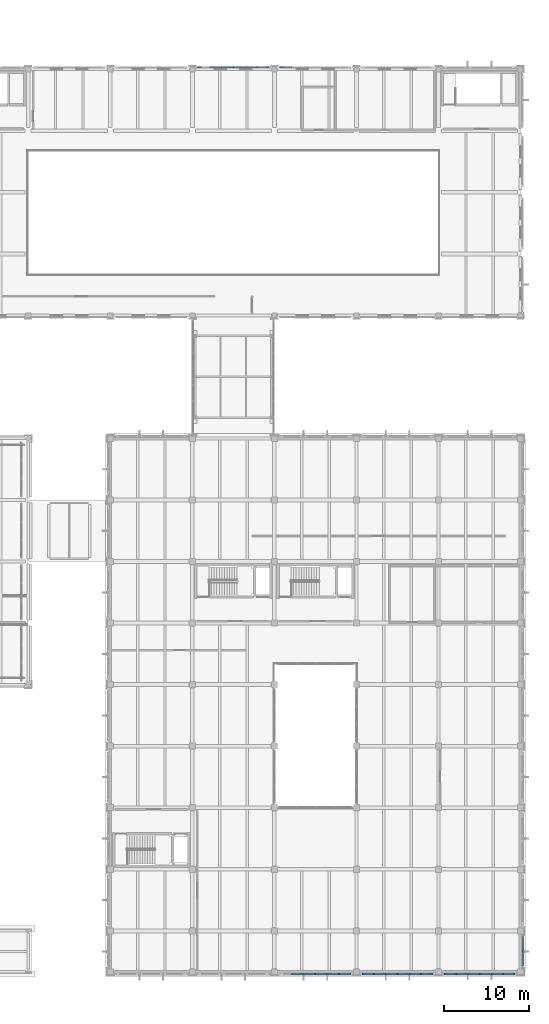
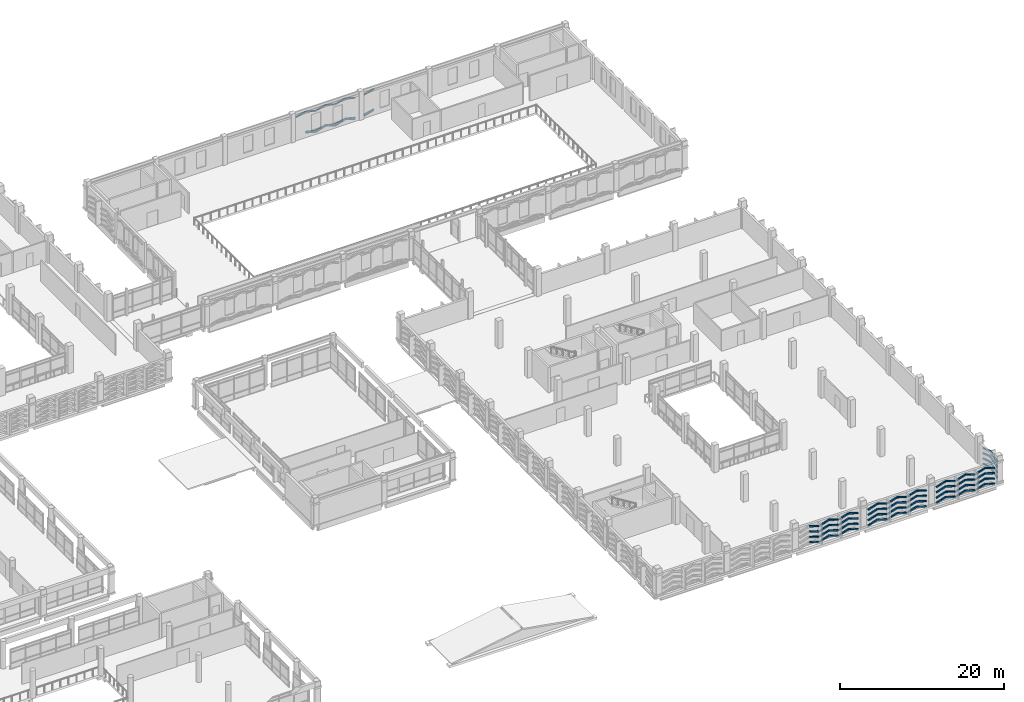
# One storey, part 144 of 180: 95 plates.
"""IFC4 building model written with IfcOpenShell, lengths in metres."""

from ifc_helpers import new_model, si_unit, direction, frame, origin, origin_2d, place, context, subcontext, project, spatial, hollow_rectangle, extrude, material, material_profile, profile_set, type_object, element, save


model = new_model("IFC4")

# Units and contexts
model_context = context("Model", 3, precision=1e-05, world=origin(), true_north=direction((0.0, 1.0)))
body_context = subcontext(model_context, "Body", "Model", "MODEL_VIEW")
ifc_project = project(units=[si_unit("LENGTHUNIT", "METRE"), si_unit("AREAUNIT", "SQUARE_METRE"), si_unit("VOLUMEUNIT", "CUBIC_METRE"), si_unit("PLANEANGLEUNIT", "RADIAN"), si_unit("MASSUNIT", "GRAM", prefix="KILO")], contexts=[model_context])

# Site, building, storey
site_placement = place(None, origin())
site = spatial("IfcSite", under=ifc_project, at=site_placement, CompositionType="ELEMENT")
building_placement = place(site_placement, origin())
building = spatial("IfcBuilding", under=site, at=building_placement, Name="Asteropetra Specialist Clinic", CompositionType="ELEMENT")
storey_placement = place(building_placement, frame((0.0, 0.0, 4.419921875)))
storey = spatial("IfcBuildingStorey", under=building, at=storey_placement, Name="L01", CompositionType="ELEMENT", Elevation=4.419921875)

# Plates
ifc_material_1 = material(Name="Chevron emerald aluminium 6063-T6", Category="aluminium")
ifc_material_profile_1 = material_profile(ifc_material_1, hollow_rectangle(XDim=0.179931640625, YDim=0.179931640625, WallThickness=0.010009765625, InnerFilletRadius=0.008056640625, OuterFilletRadius=0.01611328125, at=origin_2d()), Name="SHS 180x180x10.0")
ifc_profile_set_1 = profile_set([ifc_material_profile_1], Name="Chevron emerald aluminium 6063-T6")
plate_type_1 = type_object("IfcPlateType", Name="CHV-RIB-180", PredefinedType="SHEET", material=ifc_profile_set_1)
for number, where, z_axis, x_axis, name in (
    (1, (124.159912109375, 105.842041015625, 0.0400390625), (-0.952424147199, 0.0, 0.304775727104), (0.0, -1.0, 0.0), "Chevron Facade Screen Fin CVR-0115"),
    (2, (122.78662109375, 105.842041015625, 0.4794921875), (-0.952424147199, 0.0, -0.304775727104), (0.0, -1.0, 0.0), "Chevron Facade Screen Fin CVR-0116"),
):
    element("IfcPlate", number, at=place(storey_placement, frame(where, z_axis=z_axis, x_axis=x_axis)), inside=storey, type_object=plate_type_1, Name=name, PredefinedType="SHEET", context=body_context, shape_type="SweptSolid", body=[
        extrude(hollow_rectangle(XDim=0.179931640625, YDim=0.179931640625, WallThickness=0.010009765625, InnerFilletRadius=0.008056640625, OuterFilletRadius=0.01611328125, at=origin_2d()), origin(), (0.0, 0.0, 1.0), 1.44189453125),
    ])
for number, where, z_axis, x_axis, name in (
    (3, (124.159912109375, 105.842041015625, 0.239990234375), (-0.972308795496, 0.0, 0.233699820713), (0.0, -1.0, 0.0), "Chevron Facade Screen Fin CVR-0117"),
    (4, (122.78662109375, 105.842041015625, 0.570068359375), (-0.972308795496, 0.0, -0.233699820713), (0.0, -1.0, 0.0), "Chevron Facade Screen Fin CVR-0118"),
):
    element("IfcPlate", number, at=place(storey_placement, frame(where, z_axis=z_axis, x_axis=x_axis)), inside=storey, type_object=plate_type_1, Name=name, PredefinedType="SHEET", context=body_context, shape_type="SweptSolid", body=[
        extrude(hollow_rectangle(XDim=0.179931640625, YDim=0.179931640625, WallThickness=0.010009765625, InnerFilletRadius=0.008056640625, OuterFilletRadius=0.01611328125, at=origin_2d()), origin(), (0.0, 0.0, 1.0), 1.412353515625),
    ])
for number, where, z_axis, x_axis, name in (
    (5, (124.159912109375, 105.842041015625, 3.190185546875), (-0.96198081159, 0.0, 0.273117041086), (0.0, -1.0, 0.0), "Chevron Facade Screen Fin CVR-0119"),
    (6, (122.78662109375, 105.842041015625, 3.580078125), (-0.96198081159, 0.0, -0.273117041086), (0.0, -1.0, 0.0), "Chevron Facade Screen Fin CVR-0120"),
):
    element("IfcPlate", number, at=place(storey_placement, frame(where, z_axis=z_axis, x_axis=x_axis)), inside=storey, type_object=plate_type_1, Name=name, PredefinedType="SHEET", context=body_context, shape_type="SweptSolid", body=[
        extrude(hollow_rectangle(XDim=0.179931640625, YDim=0.179931640625, WallThickness=0.010009765625, InnerFilletRadius=0.008056640625, OuterFilletRadius=0.01611328125, at=origin_2d()), origin(), (0.0, 0.0, 1.0), 1.427490234375),
    ])
for number, where, z_axis, x_axis, name in (
    (7, (121.373291015625, 105.842041015625, 0.0400390625), (-0.952424147199, 0.0, 0.304775727104), (0.0, -1.0, 0.0), "Chevron Facade Screen Fin CVR-0121"),
    (8, (120.0, 105.842041015625, 0.4794921875), (-0.952424147199, 0.0, -0.304775727104), (0.0, -1.0, 0.0), "Chevron Facade Screen Fin CVR-0122"),
):
    element("IfcPlate", number, at=place(storey_placement, frame(where, z_axis=z_axis, x_axis=x_axis)), inside=storey, type_object=plate_type_1, Name=name, PredefinedType="SHEET", context=body_context, shape_type="SweptSolid", body=[
        extrude(hollow_rectangle(XDim=0.179931640625, YDim=0.179931640625, WallThickness=0.010009765625, InnerFilletRadius=0.008056640625, OuterFilletRadius=0.01611328125, at=origin_2d()), origin(), (0.0, 0.0, 1.0), 1.44189453125),
    ])
for number, where, z_axis, x_axis, name in (
    (9, (121.373291015625, 105.842041015625, 0.239990234375), (-0.972308795496, 0.0, 0.233699820713), (0.0, -1.0, 0.0), "Chevron Facade Screen Fin CVR-0123"),
    (10, (120.0, 105.842041015625, 0.570068359375), (-0.972308795496, 0.0, -0.233699820713), (0.0, -1.0, 0.0), "Chevron Facade Screen Fin CVR-0124"),
):
    element("IfcPlate", number, at=place(storey_placement, frame(where, z_axis=z_axis, x_axis=x_axis)), inside=storey, type_object=plate_type_1, Name=name, PredefinedType="SHEET", context=body_context, shape_type="SweptSolid", body=[
        extrude(hollow_rectangle(XDim=0.179931640625, YDim=0.179931640625, WallThickness=0.010009765625, InnerFilletRadius=0.008056640625, OuterFilletRadius=0.01611328125, at=origin_2d()), origin(), (0.0, 0.0, 1.0), 1.412353515625),
    ])
for number, where, z_axis, x_axis, name in (
    (11, (121.373291015625, 105.842041015625, 3.190185546875), (-0.96198081159, 0.0, 0.273117041086), (0.0, -1.0, 0.0), "Chevron Facade Screen Fin CVR-0125"),
    (12, (120.0, 105.842041015625, 3.580078125), (-0.96198081159, 0.0, -0.273117041086), (0.0, -1.0, 0.0), "Chevron Facade Screen Fin CVR-0126"),
):
    element("IfcPlate", number, at=place(storey_placement, frame(where, z_axis=z_axis, x_axis=x_axis)), inside=storey, type_object=plate_type_1, Name=name, PredefinedType="SHEET", context=body_context, shape_type="SweptSolid", body=[
        extrude(hollow_rectangle(XDim=0.179931640625, YDim=0.179931640625, WallThickness=0.010009765625, InnerFilletRadius=0.008056640625, OuterFilletRadius=0.01611328125, at=origin_2d()), origin(), (0.0, 0.0, 1.0), 1.427490234375),
    ])
plate_1_placement = place(storey_placement, frame((118.586669921875, 105.842041015625, 0.0400390625), z_axis=(-0.952424147199, 0.0, 0.304775727104), x_axis=(0.0, -1.0, 0.0)))
element("IfcPlate", 13, at=plate_1_placement, inside=storey, type_object=plate_type_1, Name="Chevron Facade Screen Fin CVR-0127", PredefinedType="SHEET", context=body_context, shape_type="SweptSolid", body=[
    extrude(hollow_rectangle(XDim=0.179931640625, YDim=0.179931640625, WallThickness=0.010009765625, InnerFilletRadius=0.008056640625, OuterFilletRadius=0.01611328125, at=origin_2d()), origin(), (0.0, 0.0, 1.0), 1.44189453125),
])
plate_2_placement = place(storey_placement, frame((118.586669921875, 105.842041015625, 0.239990234375), z_axis=(-0.972308795496, 0.0, 0.233699820713), x_axis=(0.0, -1.0, 0.0)))
element("IfcPlate", 14, at=plate_2_placement, inside=storey, type_object=plate_type_1, Name="Chevron Facade Screen Fin CVR-0129", PredefinedType="SHEET", context=body_context, shape_type="SweptSolid", body=[
    extrude(hollow_rectangle(XDim=0.179931640625, YDim=0.179931640625, WallThickness=0.010009765625, InnerFilletRadius=0.008056640625, OuterFilletRadius=0.01611328125, at=origin_2d()), origin(), (0.0, 0.0, 1.0), 1.412353515625),
])
for number, where, z_axis, x_axis, name in (
    (15, (118.586669921875, 105.842041015625, 3.190185546875), (-0.96198081159, 0.0, 0.273117041086), (0.0, -1.0, 0.0), "Chevron Facade Screen Fin CVR-0131"),
    (16, (117.21337890625, 105.842041015625, 3.580078125), (-0.96198081159, 0.0, -0.273117041086), (0.0, -1.0, 0.0), "Chevron Facade Screen Fin CVR-0132"),
):
    element("IfcPlate", number, at=place(storey_placement, frame(where, z_axis=z_axis, x_axis=x_axis)), inside=storey, type_object=plate_type_1, Name=name, PredefinedType="SHEET", context=body_context, shape_type="SweptSolid", body=[
        extrude(hollow_rectangle(XDim=0.179931640625, YDim=0.179931640625, WallThickness=0.010009765625, InnerFilletRadius=0.008056640625, OuterFilletRadius=0.01611328125, at=origin_2d()), origin(), (0.0, 0.0, 1.0), 1.427490234375),
    ])
plate_3_placement = place(storey_placement, frame((126.813232421875, 105.842041015625, 0.4794921875), z_axis=(-0.952424147199, 0.0, -0.304775727104), x_axis=(0.0, -1.0, 0.0)))
element("IfcPlate", 17, at=plate_3_placement, inside=storey, type_object=plate_type_1, Name="Chevron Facade Screen Fin CVR-0164", PredefinedType="SHEET", context=body_context, shape_type="SweptSolid", body=[
    extrude(hollow_rectangle(XDim=0.179931640625, YDim=0.179931640625, WallThickness=0.010009765625, InnerFilletRadius=0.008056640625, OuterFilletRadius=0.01611328125, at=origin_2d()), origin(), (0.0, 0.0, 1.0), 1.44189453125),
])
plate_4_placement = place(storey_placement, frame((126.813232421875, 105.842041015625, 0.570068359375), z_axis=(-0.972308795496, 0.0, -0.233699820713), x_axis=(0.0, -1.0, 0.0)))
element("IfcPlate", 18, at=plate_4_placement, inside=storey, type_object=plate_type_1, Name="Chevron Facade Screen Fin CVR-0166", PredefinedType="SHEET", context=body_context, shape_type="SweptSolid", body=[
    extrude(hollow_rectangle(XDim=0.179931640625, YDim=0.179931640625, WallThickness=0.010009765625, InnerFilletRadius=0.008056640625, OuterFilletRadius=0.01611328125, at=origin_2d()), origin(), (0.0, 0.0, 1.0), 1.412353515625),
])
plate_5_placement = place(storey_placement, frame((126.813232421875, 105.842041015625, 3.580078125), z_axis=(-0.96198081159, 0.0, -0.273117041086), x_axis=(0.0, -1.0, 0.0)))
element("IfcPlate", 19, at=plate_5_placement, inside=storey, type_object=plate_type_1, Name="Chevron Facade Screen Fin CVR-0168", PredefinedType="SHEET", context=body_context, shape_type="SweptSolid", body=[
    extrude(hollow_rectangle(XDim=0.179931640625, YDim=0.179931640625, WallThickness=0.010009765625, InnerFilletRadius=0.008056640625, OuterFilletRadius=0.01611328125, at=origin_2d()), origin(), (0.0, 0.0, 1.0), 1.427490234375),
])
ifc_material_2 = material(Name="Chevron emerald aluminium 6063-T6", Category="aluminium")
ifc_material_profile_2 = material_profile(ifc_material_2, hollow_rectangle(XDim=0.199951171875, YDim=0.199951171875, WallThickness=0.010009765625, InnerFilletRadius=0.008056640625, OuterFilletRadius=0.01611328125, at=origin_2d()), Name="SHS 200x200x10.0")
ifc_profile_set_2 = profile_set([ifc_material_profile_2], Name="Chevron emerald aluminium 6063-T6")
plate_type_2 = type_object("IfcPlateType", Name="CHV-RIB-200", PredefinedType="SHEET", material=ifc_profile_set_2)
for number, where, z_axis, x_axis, name in (
    (20, (126.8466796875, -0.24951171875, 0.484130859375), (0.952436086829, 0.0, -0.304738413241), (0.0, 1.0, 0.0), "Chevron Facade Screen Fin CVR-2049"),
    (21, (126.8466796875, -0.24951171875, 1.254150390625), (0.952436086829, 0.0, -0.304738413241), (0.0, 1.0, 0.0), "Chevron Facade Screen Fin CVR-2051"),
    (22, (126.8466796875, -0.24951171875, 2.05419921875), (0.952436086829, 0.0, -0.304738413241), (0.0, 1.0, 0.0), "Chevron Facade Screen Fin CVR-2053"),
    (23, (126.8466796875, -0.24951171875, 2.834228515625), (0.952436086829, 0.0, -0.304738413241), (0.0, 1.0, 0.0), "Chevron Facade Screen Fin CVR-2055"),
    (24, (128.243408203125, -0.24951171875, 0.050048828125), (0.952436086829, 0.0, 0.304738413241), (0.0, 1.0, 0.0), "Chevron Facade Screen Fin CVR-2056"),
    (25, (129.60009765625, -0.24951171875, 0.484130859375), (0.952436086829, 0.0, -0.304738413241), (0.0, 1.0, 0.0), "Chevron Facade Screen Fin CVR-2057"),
    (26, (128.243408203125, -0.24951171875, 0.820068359375), (0.952436086829, 0.0, 0.304738413241), (0.0, 1.0, 0.0), "Chevron Facade Screen Fin CVR-2058"),
    (27, (129.60009765625, -0.24951171875, 1.254150390625), (0.952436086829, 0.0, -0.304738413241), (0.0, 1.0, 0.0), "Chevron Facade Screen Fin CVR-2059"),
    (28, (128.243408203125, -0.24951171875, 1.6201171875), (0.952436086829, 0.0, 0.304738413241), (0.0, 1.0, 0.0), "Chevron Facade Screen Fin CVR-2060"),
    (29, (129.60009765625, -0.24951171875, 2.05419921875), (0.952436086829, 0.0, -0.304738413241), (0.0, 1.0, 0.0), "Chevron Facade Screen Fin CVR-2061"),
    (30, (128.243408203125, -0.24951171875, 2.400146484375), (0.952436086829, 0.0, 0.304738413241), (0.0, 1.0, 0.0), "Chevron Facade Screen Fin CVR-2062"),
    (31, (129.60009765625, -0.24951171875, 2.834228515625), (0.952436086829, 0.0, -0.304738413241), (0.0, 1.0, 0.0), "Chevron Facade Screen Fin CVR-2063"),
    (32, (130.99658203125, -0.24951171875, 0.050048828125), (0.952436086829, 0.0, 0.304738413241), (0.0, 1.0, 0.0), "Chevron Facade Screen Fin CVR-2064"),
    (33, (132.353271484375, -0.24951171875, 0.484130859375), (0.952436086829, 0.0, -0.304738413241), (0.0, 1.0, 0.0), "Chevron Facade Screen Fin CVR-2065"),
    (34, (130.99658203125, -0.24951171875, 0.820068359375), (0.952436086829, 0.0, 0.304738413241), (0.0, 1.0, 0.0), "Chevron Facade Screen Fin CVR-2066"),
    (35, (132.353271484375, -0.24951171875, 1.254150390625), (0.952436086829, 0.0, -0.304738413241), (0.0, 1.0, 0.0), "Chevron Facade Screen Fin CVR-2067"),
    (36, (130.99658203125, -0.24951171875, 1.6201171875), (0.952436086829, 0.0, 0.304738413241), (0.0, 1.0, 0.0), "Chevron Facade Screen Fin CVR-2068"),
    (37, (132.353271484375, -0.24951171875, 2.05419921875), (0.952436086829, 0.0, -0.304738413241), (0.0, 1.0, 0.0), "Chevron Facade Screen Fin CVR-2069"),
    (38, (130.99658203125, -0.24951171875, 2.400146484375), (0.952436086829, 0.0, 0.304738413241), (0.0, 1.0, 0.0), "Chevron Facade Screen Fin CVR-2070"),
    (39, (132.353271484375, -0.24951171875, 2.834228515625), (0.952436086829, 0.0, -0.304738413241), (0.0, 1.0, 0.0), "Chevron Facade Screen Fin CVR-2071"),
    (40, (135.090087890625, -0.24951171875, 0.050048828125), (0.952436086829, 0.0, 0.304738413241), (0.0, 1.0, 0.0), "Chevron Facade Screen Fin CVR-2096"),
):
    element("IfcPlate", number, at=place(storey_placement, frame(where, z_axis=z_axis, x_axis=x_axis)), inside=storey, type_object=plate_type_2, Name=name, PredefinedType="SHEET", context=body_context, shape_type="SweptSolid", body=[
        extrude(hollow_rectangle(XDim=0.199951171875, YDim=0.199951171875, WallThickness=0.010009765625, InnerFilletRadius=0.008056640625, OuterFilletRadius=0.01611328125, at=origin_2d()), origin(), (0.0, 0.0, 1.0), 1.424560546875),
    ])
plate_6_placement = place(storey_placement, frame((136.44677734375, -0.24951171875, 0.484130859375), z_axis=(0.952420166348, 0.0, -0.304788166985), x_axis=(0.0, 1.0, 0.0)))
element("IfcPlate", 41, at=plate_6_placement, inside=storey, type_object=plate_type_2, Name="Chevron Facade Screen Fin CVR-2097", PredefinedType="SHEET", context=body_context, shape_type="SweptSolid", body=[
    extrude(hollow_rectangle(XDim=0.199951171875, YDim=0.199951171875, WallThickness=0.010009765625, InnerFilletRadius=0.008056640625, OuterFilletRadius=0.01611328125, at=origin_2d()), origin(), (0.0, 0.0, 1.0), 1.42431640625),
])
plate_7_placement = place(storey_placement, frame((135.090087890625, -0.24951171875, 0.820068359375), z_axis=(0.952436086829, 0.0, 0.304738413241), x_axis=(0.0, 1.0, 0.0)))
element("IfcPlate", 42, at=plate_7_placement, inside=storey, type_object=plate_type_2, Name="Chevron Facade Screen Fin CVR-2098", PredefinedType="SHEET", context=body_context, shape_type="SweptSolid", body=[
    extrude(hollow_rectangle(XDim=0.199951171875, YDim=0.199951171875, WallThickness=0.010009765625, InnerFilletRadius=0.008056640625, OuterFilletRadius=0.01611328125, at=origin_2d()), origin(), (0.0, 0.0, 1.0), 1.424560546875),
])
plate_8_placement = place(storey_placement, frame((136.44677734375, -0.24951171875, 1.254150390625), z_axis=(0.952420166348, 0.0, -0.304788166985), x_axis=(0.0, 1.0, 0.0)))
element("IfcPlate", 43, at=plate_8_placement, inside=storey, type_object=plate_type_2, Name="Chevron Facade Screen Fin CVR-2099", PredefinedType="SHEET", context=body_context, shape_type="SweptSolid", body=[
    extrude(hollow_rectangle(XDim=0.199951171875, YDim=0.199951171875, WallThickness=0.010009765625, InnerFilletRadius=0.008056640625, OuterFilletRadius=0.01611328125, at=origin_2d()), origin(), (0.0, 0.0, 1.0), 1.42431640625),
])
plate_9_placement = place(storey_placement, frame((135.090087890625, -0.24951171875, 1.6201171875), z_axis=(0.952436086829, 0.0, 0.304738413241), x_axis=(0.0, 1.0, 0.0)))
element("IfcPlate", 44, at=plate_9_placement, inside=storey, type_object=plate_type_2, Name="Chevron Facade Screen Fin CVR-2100", PredefinedType="SHEET", context=body_context, shape_type="SweptSolid", body=[
    extrude(hollow_rectangle(XDim=0.199951171875, YDim=0.199951171875, WallThickness=0.010009765625, InnerFilletRadius=0.008056640625, OuterFilletRadius=0.01611328125, at=origin_2d()), origin(), (0.0, 0.0, 1.0), 1.424560546875),
])
plate_10_placement = place(storey_placement, frame((136.44677734375, -0.24951171875, 2.05419921875), z_axis=(0.952420166348, 0.0, -0.304788166985), x_axis=(0.0, 1.0, 0.0)))
element("IfcPlate", 45, at=plate_10_placement, inside=storey, type_object=plate_type_2, Name="Chevron Facade Screen Fin CVR-2101", PredefinedType="SHEET", context=body_context, shape_type="SweptSolid", body=[
    extrude(hollow_rectangle(XDim=0.199951171875, YDim=0.199951171875, WallThickness=0.010009765625, InnerFilletRadius=0.008056640625, OuterFilletRadius=0.01611328125, at=origin_2d()), origin(), (0.0, 0.0, 1.0), 1.42431640625),
])
plate_11_placement = place(storey_placement, frame((135.090087890625, -0.24951171875, 2.400146484375), z_axis=(0.952436086829, 0.0, 0.304738413241), x_axis=(0.0, 1.0, 0.0)))
element("IfcPlate", 46, at=plate_11_placement, inside=storey, type_object=plate_type_2, Name="Chevron Facade Screen Fin CVR-2102", PredefinedType="SHEET", context=body_context, shape_type="SweptSolid", body=[
    extrude(hollow_rectangle(XDim=0.199951171875, YDim=0.199951171875, WallThickness=0.010009765625, InnerFilletRadius=0.008056640625, OuterFilletRadius=0.01611328125, at=origin_2d()), origin(), (0.0, 0.0, 1.0), 1.424560546875),
])
plate_12_placement = place(storey_placement, frame((136.44677734375, -0.24951171875, 2.834228515625), z_axis=(0.952420166348, 0.0, -0.304788166985), x_axis=(0.0, 1.0, 0.0)))
element("IfcPlate", 47, at=plate_12_placement, inside=storey, type_object=plate_type_2, Name="Chevron Facade Screen Fin CVR-2103", PredefinedType="SHEET", context=body_context, shape_type="SweptSolid", body=[
    extrude(hollow_rectangle(XDim=0.199951171875, YDim=0.199951171875, WallThickness=0.010009765625, InnerFilletRadius=0.008056640625, OuterFilletRadius=0.01611328125, at=origin_2d()), origin(), (0.0, 0.0, 1.0), 1.42431640625),
])
for number, where, z_axis, x_axis, name in (
    (48, (137.84326171875, -0.24951171875, 0.050048828125), (0.952436086829, 0.0, 0.304738413241), (0.0, 1.0, 0.0), "Chevron Facade Screen Fin CVR-2104"),
    (49, (139.199951171875, -0.24951171875, 0.484130859375), (0.952436086829, 0.0, -0.304738413241), (0.0, 1.0, 0.0), "Chevron Facade Screen Fin CVR-2105"),
    (50, (137.84326171875, -0.24951171875, 0.820068359375), (0.952436086829, 0.0, 0.304738413241), (0.0, 1.0, 0.0), "Chevron Facade Screen Fin CVR-2106"),
    (51, (139.199951171875, -0.24951171875, 1.254150390625), (0.952436086829, 0.0, -0.304738413241), (0.0, 1.0, 0.0), "Chevron Facade Screen Fin CVR-2107"),
    (52, (137.84326171875, -0.24951171875, 1.6201171875), (0.952436086829, 0.0, 0.304738413241), (0.0, 1.0, 0.0), "Chevron Facade Screen Fin CVR-2108"),
    (53, (139.199951171875, -0.24951171875, 2.05419921875), (0.952436086829, 0.0, -0.304738413241), (0.0, 1.0, 0.0), "Chevron Facade Screen Fin CVR-2109"),
    (54, (137.84326171875, -0.24951171875, 2.400146484375), (0.952436086829, 0.0, 0.304738413241), (0.0, 1.0, 0.0), "Chevron Facade Screen Fin CVR-2110"),
    (55, (139.199951171875, -0.24951171875, 2.834228515625), (0.952436086829, 0.0, -0.304738413241), (0.0, 1.0, 0.0), "Chevron Facade Screen Fin CVR-2111"),
    (56, (140.5966796875, -0.24951171875, 0.050048828125), (0.952436086829, 0.0, 0.304738413241), (0.0, 1.0, 0.0), "Chevron Facade Screen Fin CVR-2112"),
    (57, (141.953369140625, -0.24951171875, 0.484130859375), (0.952436086829, 0.0, -0.304738413241), (0.0, 1.0, 0.0), "Chevron Facade Screen Fin CVR-2113"),
    (58, (140.5966796875, -0.24951171875, 0.820068359375), (0.952436086829, 0.0, 0.304738413241), (0.0, 1.0, 0.0), "Chevron Facade Screen Fin CVR-2114"),
    (59, (141.953369140625, -0.24951171875, 1.254150390625), (0.952436086829, 0.0, -0.304738413241), (0.0, 1.0, 0.0), "Chevron Facade Screen Fin CVR-2115"),
    (60, (140.5966796875, -0.24951171875, 1.6201171875), (0.952436086829, 0.0, 0.304738413241), (0.0, 1.0, 0.0), "Chevron Facade Screen Fin CVR-2116"),
    (61, (141.953369140625, -0.24951171875, 2.05419921875), (0.952436086829, 0.0, -0.304738413241), (0.0, 1.0, 0.0), "Chevron Facade Screen Fin CVR-2117"),
    (62, (140.5966796875, -0.24951171875, 2.400146484375), (0.952436086829, 0.0, 0.304738413241), (0.0, 1.0, 0.0), "Chevron Facade Screen Fin CVR-2118"),
    (63, (141.953369140625, -0.24951171875, 2.834228515625), (0.952436086829, 0.0, -0.304738413241), (0.0, 1.0, 0.0), "Chevron Facade Screen Fin CVR-2119"),
    (64, (144.68994140625, -0.24951171875, 0.050048828125), (0.952436086829, 0.0, 0.304738413241), (0.0, 1.0, 0.0), "Chevron Facade Screen Fin CVR-2144"),
    (65, (146.046630859375, -0.24951171875, 0.484130859375), (0.952436086829, 0.0, -0.304738413241), (0.0, 1.0, 0.0), "Chevron Facade Screen Fin CVR-2145"),
    (66, (144.68994140625, -0.24951171875, 0.820068359375), (0.952436086829, 0.0, 0.304738413241), (0.0, 1.0, 0.0), "Chevron Facade Screen Fin CVR-2146"),
    (67, (146.046630859375, -0.24951171875, 1.254150390625), (0.952436086829, 0.0, -0.304738413241), (0.0, 1.0, 0.0), "Chevron Facade Screen Fin CVR-2147"),
    (68, (144.68994140625, -0.24951171875, 1.6201171875), (0.952436086829, 0.0, 0.304738413241), (0.0, 1.0, 0.0), "Chevron Facade Screen Fin CVR-2148"),
    (69, (146.046630859375, -0.24951171875, 2.05419921875), (0.952436086829, 0.0, -0.304738413241), (0.0, 1.0, 0.0), "Chevron Facade Screen Fin CVR-2149"),
    (70, (144.68994140625, -0.24951171875, 2.400146484375), (0.952436086829, 0.0, 0.304738413241), (0.0, 1.0, 0.0), "Chevron Facade Screen Fin CVR-2150"),
    (71, (146.046630859375, -0.24951171875, 2.834228515625), (0.952436086829, 0.0, -0.304738413241), (0.0, 1.0, 0.0), "Chevron Facade Screen Fin CVR-2151"),
    (72, (147.443359375, -0.24951171875, 0.050048828125), (0.952436086829, 0.0, 0.304738413241), (0.0, 1.0, 0.0), "Chevron Facade Screen Fin CVR-2152"),
    (73, (148.800048828125, -0.24951171875, 0.484130859375), (0.952436086829, 0.0, -0.304738413241), (0.0, 1.0, 0.0), "Chevron Facade Screen Fin CVR-2153"),
    (74, (147.443359375, -0.24951171875, 0.820068359375), (0.952436086829, 0.0, 0.304738413241), (0.0, 1.0, 0.0), "Chevron Facade Screen Fin CVR-2154"),
    (75, (148.800048828125, -0.24951171875, 1.254150390625), (0.952436086829, 0.0, -0.304738413241), (0.0, 1.0, 0.0), "Chevron Facade Screen Fin CVR-2155"),
    (76, (147.443359375, -0.24951171875, 1.6201171875), (0.952436086829, 0.0, 0.304738413241), (0.0, 1.0, 0.0), "Chevron Facade Screen Fin CVR-2156"),
    (77, (148.800048828125, -0.24951171875, 2.05419921875), (0.952436086829, 0.0, -0.304738413241), (0.0, 1.0, 0.0), "Chevron Facade Screen Fin CVR-2157"),
    (78, (147.443359375, -0.24951171875, 2.400146484375), (0.952436086829, 0.0, 0.304738413241), (0.0, 1.0, 0.0), "Chevron Facade Screen Fin CVR-2158"),
    (79, (148.800048828125, -0.24951171875, 2.834228515625), (0.952436086829, 0.0, -0.304738413241), (0.0, 1.0, 0.0), "Chevron Facade Screen Fin CVR-2159"),
):
    element("IfcPlate", number, at=place(storey_placement, frame(where, z_axis=z_axis, x_axis=x_axis)), inside=storey, type_object=plate_type_2, Name=name, PredefinedType="SHEET", context=body_context, shape_type="SweptSolid", body=[
        extrude(hollow_rectangle(XDim=0.199951171875, YDim=0.199951171875, WallThickness=0.010009765625, InnerFilletRadius=0.008056640625, OuterFilletRadius=0.01611328125, at=origin_2d()), origin(), (0.0, 0.0, 1.0), 1.424560546875),
    ])
plate_13_placement = place(storey_placement, frame((150.19677734375, -0.24951171875, 0.050048828125), z_axis=(0.952420166348, 0.0, 0.304788166985), x_axis=(0.0, 1.0, 0.0)))
element("IfcPlate", 80, at=plate_13_placement, inside=storey, type_object=plate_type_2, Name="Chevron Facade Screen Fin CVR-2160", PredefinedType="SHEET", context=body_context, shape_type="SweptSolid", body=[
    extrude(hollow_rectangle(XDim=0.199951171875, YDim=0.199951171875, WallThickness=0.010009765625, InnerFilletRadius=0.008056640625, OuterFilletRadius=0.01611328125, at=origin_2d()), origin(), (0.0, 0.0, 1.0), 1.42431640625),
])
plate_14_placement = place(storey_placement, frame((151.55322265625, -0.24951171875, 0.484130859375), z_axis=(0.952436086829, 0.0, -0.304738413241), x_axis=(0.0, 1.0, 0.0)))
element("IfcPlate", 81, at=plate_14_placement, inside=storey, type_object=plate_type_2, Name="Chevron Facade Screen Fin CVR-2161", PredefinedType="SHEET", context=body_context, shape_type="SweptSolid", body=[
    extrude(hollow_rectangle(XDim=0.199951171875, YDim=0.199951171875, WallThickness=0.010009765625, InnerFilletRadius=0.008056640625, OuterFilletRadius=0.01611328125, at=origin_2d()), origin(), (0.0, 0.0, 1.0), 1.424560546875),
])
plate_15_placement = place(storey_placement, frame((150.19677734375, -0.24951171875, 0.820068359375), z_axis=(0.952420166348, 0.0, 0.304788166985), x_axis=(0.0, 1.0, 0.0)))
element("IfcPlate", 82, at=plate_15_placement, inside=storey, type_object=plate_type_2, Name="Chevron Facade Screen Fin CVR-2162", PredefinedType="SHEET", context=body_context, shape_type="SweptSolid", body=[
    extrude(hollow_rectangle(XDim=0.199951171875, YDim=0.199951171875, WallThickness=0.010009765625, InnerFilletRadius=0.008056640625, OuterFilletRadius=0.01611328125, at=origin_2d()), origin(), (0.0, 0.0, 1.0), 1.42431640625),
])
plate_16_placement = place(storey_placement, frame((151.55322265625, -0.24951171875, 1.254150390625), z_axis=(0.952436086829, 0.0, -0.304738413241), x_axis=(0.0, 1.0, 0.0)))
element("IfcPlate", 83, at=plate_16_placement, inside=storey, type_object=plate_type_2, Name="Chevron Facade Screen Fin CVR-2163", PredefinedType="SHEET", context=body_context, shape_type="SweptSolid", body=[
    extrude(hollow_rectangle(XDim=0.199951171875, YDim=0.199951171875, WallThickness=0.010009765625, InnerFilletRadius=0.008056640625, OuterFilletRadius=0.01611328125, at=origin_2d()), origin(), (0.0, 0.0, 1.0), 1.424560546875),
])
plate_17_placement = place(storey_placement, frame((150.19677734375, -0.24951171875, 1.6201171875), z_axis=(0.952420166348, 0.0, 0.304788166985), x_axis=(0.0, 1.0, 0.0)))
element("IfcPlate", 84, at=plate_17_placement, inside=storey, type_object=plate_type_2, Name="Chevron Facade Screen Fin CVR-2164", PredefinedType="SHEET", context=body_context, shape_type="SweptSolid", body=[
    extrude(hollow_rectangle(XDim=0.199951171875, YDim=0.199951171875, WallThickness=0.010009765625, InnerFilletRadius=0.008056640625, OuterFilletRadius=0.01611328125, at=origin_2d()), origin(), (0.0, 0.0, 1.0), 1.42431640625),
])
plate_18_placement = place(storey_placement, frame((151.55322265625, -0.24951171875, 2.05419921875), z_axis=(0.952436086829, 0.0, -0.304738413241), x_axis=(0.0, 1.0, 0.0)))
element("IfcPlate", 85, at=plate_18_placement, inside=storey, type_object=plate_type_2, Name="Chevron Facade Screen Fin CVR-2165", PredefinedType="SHEET", context=body_context, shape_type="SweptSolid", body=[
    extrude(hollow_rectangle(XDim=0.199951171875, YDim=0.199951171875, WallThickness=0.010009765625, InnerFilletRadius=0.008056640625, OuterFilletRadius=0.01611328125, at=origin_2d()), origin(), (0.0, 0.0, 1.0), 1.424560546875),
])
plate_19_placement = place(storey_placement, frame((150.19677734375, -0.24951171875, 2.400146484375), z_axis=(0.952420166348, 0.0, 0.304788166985), x_axis=(0.0, 1.0, 0.0)))
element("IfcPlate", 86, at=plate_19_placement, inside=storey, type_object=plate_type_2, Name="Chevron Facade Screen Fin CVR-2166", PredefinedType="SHEET", context=body_context, shape_type="SweptSolid", body=[
    extrude(hollow_rectangle(XDim=0.199951171875, YDim=0.199951171875, WallThickness=0.010009765625, InnerFilletRadius=0.008056640625, OuterFilletRadius=0.01611328125, at=origin_2d()), origin(), (0.0, 0.0, 1.0), 1.42431640625),
])
plate_20_placement = place(storey_placement, frame((151.55322265625, -0.24951171875, 2.834228515625), z_axis=(0.952436086829, 0.0, -0.304738413241), x_axis=(0.0, 1.0, 0.0)))
element("IfcPlate", 87, at=plate_20_placement, inside=storey, type_object=plate_type_2, Name="Chevron Facade Screen Fin CVR-2167", PredefinedType="SHEET", context=body_context, shape_type="SweptSolid", body=[
    extrude(hollow_rectangle(XDim=0.199951171875, YDim=0.199951171875, WallThickness=0.010009765625, InnerFilletRadius=0.008056640625, OuterFilletRadius=0.01611328125, at=origin_2d()), origin(), (0.0, 0.0, 1.0), 1.424560546875),
])
plate_21_placement = place(storey_placement, frame((153.849609375, 0.68994140625, 0.050048828125), z_axis=(0.0, 0.952711170265, 0.303877320727), x_axis=(-1.0, 0.0, 0.0)))
element("IfcPlate", 88, at=plate_21_placement, inside=storey, type_object=plate_type_2, Name="Chevron Facade Screen Fin CVR-2200", PredefinedType="SHEET", context=body_context, shape_type="SweptSolid", body=[
    extrude(hollow_rectangle(XDim=0.199951171875, YDim=0.199951171875, WallThickness=0.010009765625, InnerFilletRadius=0.008056640625, OuterFilletRadius=0.01611328125, at=origin_2d()), origin(), (0.0, 0.0, 1.0), 1.794921875),
])
plate_22_placement = place(storey_placement, frame((153.849609375, 2.39990234375, 0.595458984375), z_axis=(0.0, 0.952723728462, -0.303837945665), x_axis=(-1.0, 0.0, 0.0)))
element("IfcPlate", 89, at=plate_22_placement, inside=storey, type_object=plate_type_2, Name="Chevron Facade Screen Fin CVR-2201", PredefinedType="SHEET", context=body_context, shape_type="SweptSolid", body=[
    extrude(hollow_rectangle(XDim=0.199951171875, YDim=0.199951171875, WallThickness=0.010009765625, InnerFilletRadius=0.008056640625, OuterFilletRadius=0.01611328125, at=origin_2d()), origin(), (0.0, 0.0, 1.0), 1.795166015625),
])
plate_23_placement = place(storey_placement, frame((153.849609375, 0.68994140625, 0.820068359375), z_axis=(0.0, 0.952711170265, 0.303877320727), x_axis=(-1.0, 0.0, 0.0)))
element("IfcPlate", 90, at=plate_23_placement, inside=storey, type_object=plate_type_2, Name="Chevron Facade Screen Fin CVR-2202", PredefinedType="SHEET", context=body_context, shape_type="SweptSolid", body=[
    extrude(hollow_rectangle(XDim=0.199951171875, YDim=0.199951171875, WallThickness=0.010009765625, InnerFilletRadius=0.008056640625, OuterFilletRadius=0.01611328125, at=origin_2d()), origin(), (0.0, 0.0, 1.0), 1.794921875),
])
plate_24_placement = place(storey_placement, frame((153.849609375, 2.39990234375, 1.365478515625), z_axis=(0.0, 0.952723728462, -0.303837945665), x_axis=(-1.0, 0.0, 0.0)))
element("IfcPlate", 91, at=plate_24_placement, inside=storey, type_object=plate_type_2, Name="Chevron Facade Screen Fin CVR-2203", PredefinedType="SHEET", context=body_context, shape_type="SweptSolid", body=[
    extrude(hollow_rectangle(XDim=0.199951171875, YDim=0.199951171875, WallThickness=0.010009765625, InnerFilletRadius=0.008056640625, OuterFilletRadius=0.01611328125, at=origin_2d()), origin(), (0.0, 0.0, 1.0), 1.795166015625),
])
plate_25_placement = place(storey_placement, frame((153.849609375, 0.68994140625, 1.6201171875), z_axis=(0.0, 0.952711170265, 0.303877320727), x_axis=(-1.0, 0.0, 0.0)))
element("IfcPlate", 92, at=plate_25_placement, inside=storey, type_object=plate_type_2, Name="Chevron Facade Screen Fin CVR-2204", PredefinedType="SHEET", context=body_context, shape_type="SweptSolid", body=[
    extrude(hollow_rectangle(XDim=0.199951171875, YDim=0.199951171875, WallThickness=0.010009765625, InnerFilletRadius=0.008056640625, OuterFilletRadius=0.01611328125, at=origin_2d()), origin(), (0.0, 0.0, 1.0), 1.794921875),
])
plate_26_placement = place(storey_placement, frame((153.849609375, 2.39990234375, 2.16552734375), z_axis=(0.0, 0.952723728462, -0.303837945665), x_axis=(-1.0, 0.0, 0.0)))
element("IfcPlate", 93, at=plate_26_placement, inside=storey, type_object=plate_type_2, Name="Chevron Facade Screen Fin CVR-2205", PredefinedType="SHEET", context=body_context, shape_type="SweptSolid", body=[
    extrude(hollow_rectangle(XDim=0.199951171875, YDim=0.199951171875, WallThickness=0.010009765625, InnerFilletRadius=0.008056640625, OuterFilletRadius=0.01611328125, at=origin_2d()), origin(), (0.0, 0.0, 1.0), 1.795166015625),
])
plate_27_placement = place(storey_placement, frame((153.849609375, 0.68994140625, 2.400146484375), z_axis=(0.0, 0.952711170265, 0.303877320727), x_axis=(-1.0, 0.0, 0.0)))
element("IfcPlate", 94, at=plate_27_placement, inside=storey, type_object=plate_type_2, Name="Chevron Facade Screen Fin CVR-2206", PredefinedType="SHEET", context=body_context, shape_type="SweptSolid", body=[
    extrude(hollow_rectangle(XDim=0.199951171875, YDim=0.199951171875, WallThickness=0.010009765625, InnerFilletRadius=0.008056640625, OuterFilletRadius=0.01611328125, at=origin_2d()), origin(), (0.0, 0.0, 1.0), 1.794921875),
])
plate_28_placement = place(storey_placement, frame((153.849609375, 2.39990234375, 2.945556640625), z_axis=(0.0, 0.952723728462, -0.303837945665), x_axis=(-1.0, 0.0, 0.0)))
element("IfcPlate", 95, at=plate_28_placement, inside=storey, type_object=plate_type_2, Name="Chevron Facade Screen Fin CVR-2207", PredefinedType="SHEET", context=body_context, shape_type="SweptSolid", body=[
    extrude(hollow_rectangle(XDim=0.199951171875, YDim=0.199951171875, WallThickness=0.010009765625, InnerFilletRadius=0.008056640625, OuterFilletRadius=0.01611328125, at=origin_2d()), origin(), (0.0, 0.0, 1.0), 1.795166015625),
])

save(model, "model.ifc")
